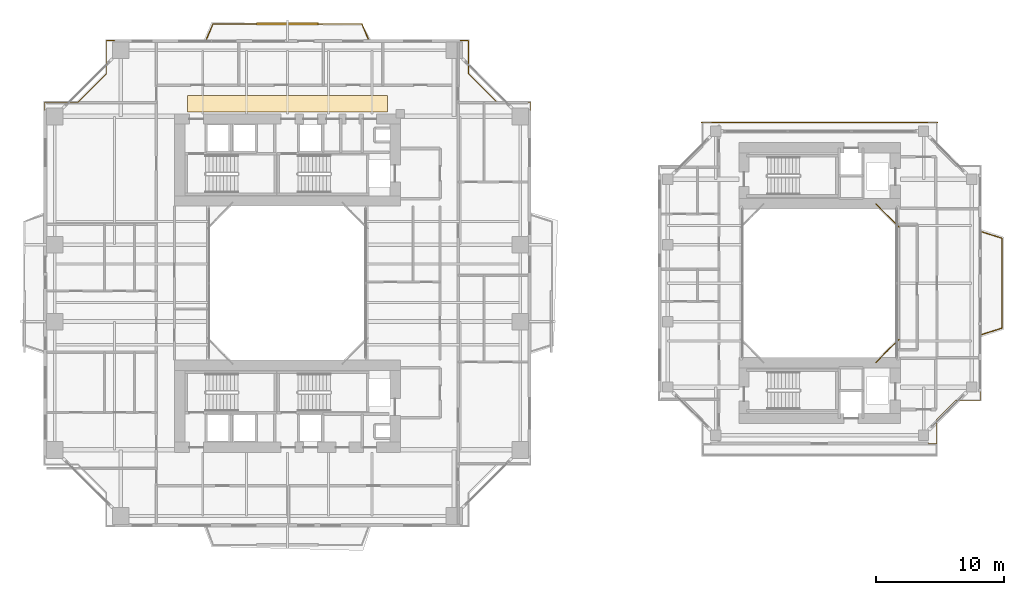
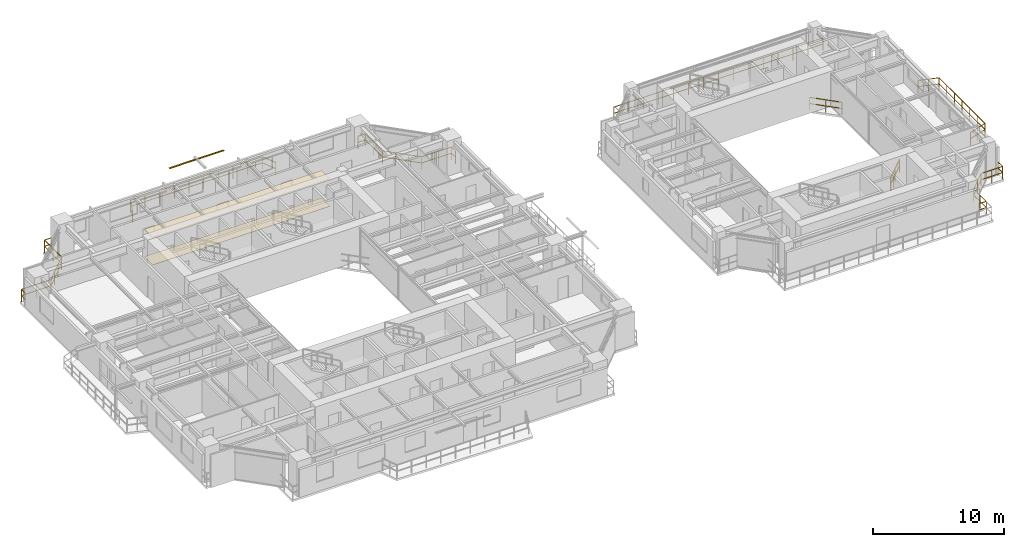
# One storey, part 23 of 24: 8 railings, 2 coverings, 1 shading device.
"""IFC4 building model written with IfcOpenShell, lengths in metres."""

from ifc_helpers import new_model, si_unit, direction, frame, origin, origin_2d, place, context, subcontext, project, spatial, polyline, rectangle, outline, extrude, source, transform, mapped, material, layer, layer_set, material_profile, profile_set, type_object, element, save


model = new_model("IFC4")

# Units and contexts
model_context = context("Model", 3, precision=1e-05, world=origin(), true_north=direction((0.0, 1.0)))
body_context = subcontext(model_context, "Body", "Model", "MODEL_VIEW")
ifc_project = project(units=[si_unit("LENGTHUNIT", "METRE"), si_unit("AREAUNIT", "SQUARE_METRE"), si_unit("VOLUMEUNIT", "CUBIC_METRE"), si_unit("PLANEANGLEUNIT", "RADIAN"), si_unit("MASSUNIT", "GRAM", prefix="KILO"), si_unit("THERMODYNAMICTEMPERATUREUNIT", "KELVIN"), si_unit("POWERUNIT", "WATT")], contexts=[model_context])

# Site, building, storey
site_placement = place(None, origin())
site = spatial("IfcSite", under=ifc_project, at=site_placement, CompositionType="ELEMENT")
building_placement = place(site_placement, origin())
building = spatial("IfcBuilding", under=site, at=building_placement, Name="Qiaomeng Ring Towers", CompositionType="ELEMENT")
storey_placement = place(building_placement, frame((0.0, 0.0, 69.75)))
storey = spatial("IfcBuildingStorey", under=building, at=storey_placement, Name="L19", CompositionType="ELEMENT", Elevation=69.75)

# Coverings
ifc_material_1 = material(Name="Moisture-resistant gypsum ceiling board", Category="gypsum")
ifc_layer_1 = layer(ifc_material_1, 0.030029296875, Name="Moisture-resistant gypsum ceiling board")
ifc_layer_set_1 = layer_set([ifc_layer_1], Name="Moisture-resistant gypsum ceiling board")
covering_type_1 = type_object("IfcCoveringType", Name="ARC-COV-CEIL2", PredefinedType="CEILING", material=ifc_layer_set_1)
covering_1_placement = place(storey_placement, frame((0.0, 0.0, 2.550048828125)))
element("IfcCovering", 1, at=covering_1_placement, inside=storey, type_object=covering_type_1, Name="L19 Corridor Acoustic Ceiling", PredefinedType="CEILING", context=body_context, shape_type="SweptSolid", body=[
    extrude(outline(polyline([(11.199951171875, 36.35009765625), (11.199951171875, 37.64990234375), (26.800048828125, 37.64990234375), (26.800048828125, 36.35009765625), (11.199951171875, 36.35009765625)])), origin(), (0.0, 0.0, 1.0), 0.02490234375),
])
ifc_material_2 = material(Name="Vitrified porcelain floor tile", Category="ceramic")
ifc_layer_2 = layer(ifc_material_2, 0.02001953125, Name="Vitrified porcelain floor tile")
ifc_layer_set_2 = layer_set([ifc_layer_2], Name="Vitrified porcelain floor tile")
covering_type_2 = type_object("IfcCoveringType", Name="ARC-COV-FLR1", PredefinedType="FLOORING", material=ifc_layer_set_2)
covering_2_placement = place(storey_placement, origin())
element("IfcCovering", 2, at=covering_2_placement, inside=storey, type_object=covering_type_2, Name="L19 Corridor Stone Flooring", PredefinedType="FLOORING", context=body_context, shape_type="SweptSolid", body=[
    extrude(outline(polyline([(11.199951171875, 36.35009765625), (11.199951171875, 37.64990234375), (26.800048828125, 37.64990234375), (26.800048828125, 36.35009765625), (11.199951171875, 36.35009765625)])), origin(), (0.0, 0.0, 1.0), 0.02001953125),
])

# Railings
ifc_material_3 = material(Name="Low-E pale-green laminated safety glass", Category="glass")
railing_type = type_object("IfcRailingType", Name="ARC-RL-BAL1", PredefinedType="BALUSTRADE", material=ifc_material_3)
railing_1_placement = place(storey_placement, frame((37.919921875, 36.469970703125, 0.0)))
element("IfcRailing", 3, at=railing_1_placement, inside=storey, type_object=railing_type, Name="L19 Balustrade ARC-BAL-NOTCH1-L19-NE", PredefinedType="BALUSTRADE", context=body_context, shape_type="SweptSolid", body=[
    extrude(rectangle(XDim=0.048095703125, YDim=0.048095703125, at=origin_2d()), frame((0.0, 0.0, 1.17578125), z_axis=(0.0, 1.0, 0.0), x_axis=(-1.0, 0.0, 0.0)), (0.0, 0.0, 1.0), 0.650146484375),
    extrude(rectangle(XDim=0.048095703125, YDim=0.048095703125, at=origin_2d()), frame((0.0, 0.0, 0.60009765625), z_axis=(0.0, 1.0, 0.0), x_axis=(-1.0, 0.0, 0.0)), (0.0, 0.0, 1.0), 0.650146484375),
    extrude(rectangle(XDim=0.048095703125, YDim=0.048095703125, at=origin_2d()), frame((0.0, 0.650146484375, 1.17578125), z_axis=(-1.0, 0.0, 0.0), x_axis=(0.0, -1.0, 0.0)), (0.0, 0.0, 1.0), 2.599853515625),
    extrude(rectangle(XDim=0.048095703125, YDim=0.048095703125, at=origin_2d()), frame((0.0, 0.650146484375, 0.60009765625), z_axis=(-1.0, 0.0, 0.0), x_axis=(0.0, -1.0, 0.0)), (0.0, 0.0, 1.0), 2.599853515625),
    extrude(rectangle(XDim=0.048095703125, YDim=0.048095703125, at=origin_2d()), frame((-2.599853515625, 0.650146484375, 1.17578125), z_axis=(-0.707106781187, 0.707106781187, 0.0), x_axis=(-0.707106781187, -0.707106781187, 0.0)), (0.0, 0.0, 1.0), 3.111083984375),
    extrude(rectangle(XDim=0.048095703125, YDim=0.048095703125, at=origin_2d()), frame((-2.599853515625, 0.650146484375, 0.60009765625), z_axis=(-0.707106781187, 0.707106781187, 0.0), x_axis=(-0.707106781187, -0.707106781187, 0.0)), (0.0, 0.0, 1.0), 3.111083984375),
    extrude(rectangle(XDim=0.048095703125, YDim=0.048095703125, at=origin_2d()), frame((-4.7998046875, 2.85009765625, 1.17578125), z_axis=(0.0, 1.0, 0.0), x_axis=(-1.0, 0.0, 0.0)), (0.0, 0.0, 1.0), 2.599853515625),
    extrude(rectangle(XDim=0.048095703125, YDim=0.048095703125, at=origin_2d()), frame((-4.7998046875, 2.85009765625, 0.60009765625), z_axis=(0.0, 1.0, 0.0), x_axis=(-1.0, 0.0, 0.0)), (0.0, 0.0, 1.0), 2.599853515625),
    extrude(rectangle(XDim=0.048095703125, YDim=0.048095703125, at=origin_2d()), frame((-4.7998046875, 5.449951171875, 1.17578125), z_axis=(-1.0, 0.0, 0.0), x_axis=(0.0, -1.0, 0.0)), (0.0, 0.0, 1.0), 0.650146484375),
    extrude(rectangle(XDim=0.048095703125, YDim=0.048095703125, at=origin_2d()), frame((-4.7998046875, 5.449951171875, 0.60009765625), z_axis=(-1.0, 0.0, 0.0), x_axis=(0.0, -1.0, 0.0)), (0.0, 0.0, 1.0), 0.650146484375),
    extrude(rectangle(XDim=0.0419921875, YDim=0.0419921875, at=origin_2d()), origin(), (0.0, 0.0, 1.0), 1.15185546875),
    extrude(rectangle(XDim=0.0419921875, YDim=0.0419921875, at=origin_2d()), frame((0.0, 0.650146484375, 0.0)), (0.0, 0.0, 1.0), 1.15185546875),
    extrude(rectangle(XDim=0.0419921875, YDim=0.0419921875, at=origin_2d()), frame((-1.2998046875, 0.650146484375, 0.0)), (0.0, 0.0, 1.0), 1.15185546875),
    extrude(rectangle(XDim=0.0419921875, YDim=0.0419921875, at=origin_2d()), frame((-2.599853515625, 0.650146484375, 0.0)), (0.0, 0.0, 1.0), 1.15185546875),
    extrude(rectangle(XDim=0.0419921875, YDim=0.0419921875, at=origin_2d()), frame((-3.333251953125, 1.383544921875, 0.0)), (0.0, 0.0, 1.0), 1.15185546875),
    extrude(rectangle(XDim=0.0419921875, YDim=0.0419921875, at=origin_2d()), frame((-4.06640625, 2.11669921875, 0.0)), (0.0, 0.0, 1.0), 1.15185546875),
    extrude(rectangle(XDim=0.0419921875, YDim=0.0419921875, at=origin_2d()), frame((-4.7998046875, 2.85009765625, 0.0)), (0.0, 0.0, 1.0), 1.15185546875),
    extrude(rectangle(XDim=0.0419921875, YDim=0.0419921875, at=origin_2d()), frame((-4.7998046875, 4.14990234375, 0.0)), (0.0, 0.0, 1.0), 1.15185546875),
    extrude(rectangle(XDim=0.0419921875, YDim=0.0419921875, at=origin_2d()), frame((-4.7998046875, 5.449951171875, 0.0)), (0.0, 0.0, 1.0), 1.15185546875),
    extrude(rectangle(XDim=0.0419921875, YDim=0.0419921875, at=origin_2d()), frame((-5.449951171875, 5.449951171875, 0.0)), (0.0, 0.0, 1.0), 1.15185546875),
])
railing_2_placement = place(storey_placement, frame((5.530029296875, 41.919921875, 0.0)))
element("IfcRailing", 4, at=railing_2_placement, inside=storey, type_object=railing_type, Name="L19 Balustrade ARC-BAL-NOTCH1-L19-NW", PredefinedType="BALUSTRADE", context=body_context, shape_type="SweptSolid", body=[
    extrude(rectangle(XDim=0.048095703125, YDim=0.048095703125, at=origin_2d()), frame((0.0, 0.0, 1.17578125), z_axis=(-1.0, 0.0, 0.0), x_axis=(0.0, -1.0, 0.0)), (0.0, 0.0, 1.0), 0.650146484375),
    extrude(rectangle(XDim=0.048095703125, YDim=0.048095703125, at=origin_2d()), frame((0.0, 0.0, 0.60009765625), z_axis=(-1.0, 0.0, 0.0), x_axis=(0.0, -1.0, 0.0)), (0.0, 0.0, 1.0), 0.650146484375),
    extrude(rectangle(XDim=0.048095703125, YDim=0.048095703125, at=origin_2d()), frame((-0.650146484375, 0.0, 1.17578125), z_axis=(0.0, -1.0, 0.0), x_axis=(1.0, 0.0, 0.0)), (0.0, 0.0, 1.0), 2.599853515625),
    extrude(rectangle(XDim=0.048095703125, YDim=0.048095703125, at=origin_2d()), frame((-0.650146484375, 0.0, 0.60009765625), z_axis=(0.0, -1.0, 0.0), x_axis=(1.0, 0.0, 0.0)), (0.0, 0.0, 1.0), 2.599853515625),
    extrude(rectangle(XDim=0.048095703125, YDim=0.048095703125, at=origin_2d()), frame((-0.650146484375, -2.599853515625, 1.17578125), z_axis=(-0.707106781187, -0.707106781187, 0.0), x_axis=(0.707106781187, -0.707106781187, 0.0)), (0.0, 0.0, 1.0), 3.111083984375),
    extrude(rectangle(XDim=0.048095703125, YDim=0.048095703125, at=origin_2d()), frame((-0.650146484375, -2.599853515625, 0.60009765625), z_axis=(-0.707106781187, -0.707106781187, 0.0), x_axis=(0.707106781187, -0.707106781187, 0.0)), (0.0, 0.0, 1.0), 3.111083984375),
    extrude(rectangle(XDim=0.048095703125, YDim=0.048095703125, at=origin_2d()), frame((-2.85009765625, -4.7998046875, 1.17578125), z_axis=(-1.0, 0.0, 0.0), x_axis=(0.0, -1.0, 0.0)), (0.0, 0.0, 1.0), 2.599853515625),
    extrude(rectangle(XDim=0.048095703125, YDim=0.048095703125, at=origin_2d()), frame((-2.85009765625, -4.7998046875, 0.60009765625), z_axis=(-1.0, 0.0, 0.0), x_axis=(0.0, -1.0, 0.0)), (0.0, 0.0, 1.0), 2.599853515625),
    extrude(rectangle(XDim=0.048095703125, YDim=0.048095703125, at=origin_2d()), frame((-5.449951171875, -4.7998046875, 1.17578125), z_axis=(0.0, -1.0, 0.0), x_axis=(1.0, 0.0, 0.0)), (0.0, 0.0, 1.0), 0.650146484375),
    extrude(rectangle(XDim=0.048095703125, YDim=0.048095703125, at=origin_2d()), frame((-5.449951171875, -4.7998046875, 0.60009765625), z_axis=(0.0, -1.0, 0.0), x_axis=(1.0, 0.0, 0.0)), (0.0, 0.0, 1.0), 0.650146484375),
    extrude(rectangle(XDim=0.0419921875, YDim=0.0419921875, at=origin_2d()), origin(), (0.0, 0.0, 1.0), 1.15185546875),
    extrude(rectangle(XDim=0.0419921875, YDim=0.0419921875, at=origin_2d()), frame((-0.650146484375, 0.0, 0.0)), (0.0, 0.0, 1.0), 1.15185546875),
    extrude(rectangle(XDim=0.0419921875, YDim=0.0419921875, at=origin_2d()), frame((-0.650146484375, -1.2998046875, 0.0)), (0.0, 0.0, 1.0), 1.15185546875),
    extrude(rectangle(XDim=0.0419921875, YDim=0.0419921875, at=origin_2d()), frame((-0.650146484375, -2.599853515625, 0.0)), (0.0, 0.0, 1.0), 1.15185546875),
    extrude(rectangle(XDim=0.0419921875, YDim=0.0419921875, at=origin_2d()), frame((-1.383544921875, -3.333251953125, 0.0)), (0.0, 0.0, 1.0), 1.15185546875),
    extrude(rectangle(XDim=0.0419921875, YDim=0.0419921875, at=origin_2d()), frame((-2.11669921875, -4.06640625, 0.0)), (0.0, 0.0, 1.0), 1.15185546875),
    extrude(rectangle(XDim=0.0419921875, YDim=0.0419921875, at=origin_2d()), frame((-2.85009765625, -4.7998046875, 0.0)), (0.0, 0.0, 1.0), 1.15185546875),
    extrude(rectangle(XDim=0.0419921875, YDim=0.0419921875, at=origin_2d()), frame((-4.14990234375, -4.7998046875, 0.0)), (0.0, 0.0, 1.0), 1.15185546875),
    extrude(rectangle(XDim=0.0419921875, YDim=0.0419921875, at=origin_2d()), frame((-5.449951171875, -4.7998046875, 0.0)), (0.0, 0.0, 1.0), 1.15185546875),
    extrude(rectangle(XDim=0.0419921875, YDim=0.0419921875, at=origin_2d()), frame((-5.449951171875, -5.449951171875, 0.0)), (0.0, 0.0, 1.0), 1.15185546875),
])
railing_3_placement = place(storey_placement, frame((12.699951171875, 42.050048828125, 0.0)))
element("IfcRailing", 5, at=railing_3_placement, inside=storey, type_object=railing_type, Name="L19 Balustrade ARC-BAL-L19-T1-N", PredefinedType="BALUSTRADE", context=body_context, shape_type="SweptSolid", body=[
    extrude(rectangle(XDim=0.048095703125, YDim=0.048095703125, at=origin_2d()), frame((0.0, 0.0, 1.17578125), z_axis=(0.39299272826, 0.919541579014, 0.0), x_axis=(-0.919541579014, 0.39299272826, 0.0)), (0.0, 0.0, 1.0), 1.272216796875),
    extrude(rectangle(XDim=0.048095703125, YDim=0.048095703125, at=origin_2d()), frame((0.0, 0.0, 0.60009765625), z_axis=(0.39299272826, 0.919541579014, 0.0), x_axis=(-0.919541579014, 0.39299272826, 0.0)), (0.0, 0.0, 1.0), 1.272216796875),
    extrude(rectangle(XDim=0.048095703125, YDim=0.048095703125, at=origin_2d()), frame((0.5, 1.169921875, 1.17578125), z_axis=(1.0, 0.0, 0.0), x_axis=(0.0, 1.0, 0.0)), (0.0, 0.0, 1.0), 11.60009765625),
    extrude(rectangle(XDim=0.048095703125, YDim=0.048095703125, at=origin_2d()), frame((0.5, 1.169921875, 0.60009765625), z_axis=(1.0, 0.0, 0.0), x_axis=(0.0, 1.0, 0.0)), (0.0, 0.0, 1.0), 11.60009765625),
    extrude(rectangle(XDim=0.048095703125, YDim=0.048095703125, at=origin_2d()), frame((12.10009765625, 1.169921875, 1.17578125), z_axis=(0.39299272826, -0.919541579014, 0.0), x_axis=(0.919541579014, 0.39299272826, 0.0)), (0.0, 0.0, 1.0), 1.272216796875),
    extrude(rectangle(XDim=0.048095703125, YDim=0.048095703125, at=origin_2d()), frame((12.10009765625, 1.169921875, 0.60009765625), z_axis=(0.39299272826, -0.919541579014, 0.0), x_axis=(0.919541579014, 0.39299272826, 0.0)), (0.0, 0.0, 1.0), 1.272216796875),
    extrude(rectangle(XDim=0.0419921875, YDim=0.0419921875, at=origin_2d()), origin(), (0.0, 0.0, 1.0), 1.15185546875),
    extrude(rectangle(XDim=0.0419921875, YDim=0.0419921875, at=origin_2d()), frame((0.5, 1.169921875, 0.0)), (0.0, 0.0, 1.0), 1.15185546875),
    extrude(rectangle(XDim=0.0419921875, YDim=0.0419921875, at=origin_2d()), frame((1.788818359375, 1.169921875, 0.0)), (0.0, 0.0, 1.0), 1.15185546875),
    extrude(rectangle(XDim=0.0419921875, YDim=0.0419921875, at=origin_2d()), frame((3.077880859375, 1.169921875, 0.0)), (0.0, 0.0, 1.0), 1.15185546875),
    extrude(rectangle(XDim=0.0419921875, YDim=0.0419921875, at=origin_2d()), frame((4.36669921875, 1.169921875, 0.0)), (0.0, 0.0, 1.0), 1.15185546875),
    extrude(rectangle(XDim=0.0419921875, YDim=0.0419921875, at=origin_2d()), frame((5.655517578125, 1.169921875, 0.0)), (0.0, 0.0, 1.0), 1.15185546875),
    extrude(rectangle(XDim=0.0419921875, YDim=0.0419921875, at=origin_2d()), frame((6.944580078125, 1.169921875, 0.0)), (0.0, 0.0, 1.0), 1.15185546875),
    extrude(rectangle(XDim=0.0419921875, YDim=0.0419921875, at=origin_2d()), frame((8.2333984375, 1.169921875, 0.0)), (0.0, 0.0, 1.0), 1.15185546875),
    extrude(rectangle(XDim=0.0419921875, YDim=0.0419921875, at=origin_2d()), frame((9.522216796875, 1.169921875, 0.0)), (0.0, 0.0, 1.0), 1.15185546875),
    extrude(rectangle(XDim=0.0419921875, YDim=0.0419921875, at=origin_2d()), frame((10.811279296875, 1.169921875, 0.0)), (0.0, 0.0, 1.0), 1.15185546875),
    extrude(rectangle(XDim=0.0419921875, YDim=0.0419921875, at=origin_2d()), frame((12.10009765625, 1.169921875, 0.0)), (0.0, 0.0, 1.0), 1.15185546875),
    extrude(rectangle(XDim=0.0419921875, YDim=0.0419921875, at=origin_2d()), frame((12.60009765625, 0.0, 0.0)), (0.0, 0.0, 1.0), 1.15185546875),
])
railing_4_placement = place(storey_placement, frame((64.8798828125, 16.820068359375, 0.0)))
element("IfcRailing", 6, at=railing_4_placement, inside=storey, type_object=railing_type, Name="L19 Balustrade ARC-BAL-WELL2-L19-1", PredefinedType="BALUSTRADE", context=body_context, shape_type="SweptSolid", body=[
    extrude(rectangle(XDim=0.048095703125, YDim=0.048095703125, at=origin_2d()), frame((0.0, 0.0, 1.17578125), z_axis=(0.707106781187, 0.707106781187, 0.0), x_axis=(-0.707106781187, 0.707106781187, 0.0)), (0.0, 0.0, 1.0), 2.545654296875),
    extrude(rectangle(XDim=0.048095703125, YDim=0.048095703125, at=origin_2d()), frame((0.0, 0.0, 0.60009765625), z_axis=(0.707106781187, 0.707106781187, 0.0), x_axis=(-0.707106781187, 0.707106781187, 0.0)), (0.0, 0.0, 1.0), 2.545654296875),
    extrude(rectangle(XDim=0.0419921875, YDim=0.0419921875, at=origin_2d()), origin(), (0.0, 0.0, 1.0), 1.15185546875),
    extrude(rectangle(XDim=0.0419921875, YDim=0.0419921875, at=origin_2d()), frame((0.89990234375, 0.89990234375, 0.0)), (0.0, 0.0, 1.0), 1.15185546875),
    extrude(rectangle(XDim=0.0419921875, YDim=0.0419921875, at=origin_2d()), frame((1.800048828125, 1.800048828125, 0.0)), (0.0, 0.0, 1.0), 1.15185546875),
])
railing_5_placement = place(storey_placement, frame((66.679931640625, 27.3798828125, 0.0)))
element("IfcRailing", 7, at=railing_5_placement, inside=storey, type_object=railing_type, Name="L19 Balustrade ARC-BAL-WELL2-L19-2", PredefinedType="BALUSTRADE", context=body_context, shape_type="SweptSolid", body=[
    extrude(rectangle(XDim=0.048095703125, YDim=0.048095703125, at=origin_2d()), frame((0.0, 0.0, 1.17578125), z_axis=(-0.707106781187, 0.707106781187, 0.0), x_axis=(-0.707106781187, -0.707106781187, 0.0)), (0.0, 0.0, 1.0), 2.545654296875),
    extrude(rectangle(XDim=0.048095703125, YDim=0.048095703125, at=origin_2d()), frame((0.0, 0.0, 0.60009765625), z_axis=(-0.707106781187, 0.707106781187, 0.0), x_axis=(-0.707106781187, -0.707106781187, 0.0)), (0.0, 0.0, 1.0), 2.545654296875),
    extrude(rectangle(XDim=0.0419921875, YDim=0.0419921875, at=origin_2d()), origin(), (0.0, 0.0, 1.0), 1.15185546875),
    extrude(rectangle(XDim=0.0419921875, YDim=0.0419921875, at=origin_2d()), frame((-0.89990234375, 0.89990234375, 0.0)), (0.0, 0.0, 1.0), 1.15185546875),
    extrude(rectangle(XDim=0.0419921875, YDim=0.0419921875, at=origin_2d()), frame((-1.800048828125, 1.800048828125, 0.0)), (0.0, 0.0, 1.0), 1.15185546875),
])
railing_6_placement = place(storey_placement, frame((68.969970703125, 10.47998046875, 0.0)))
element("IfcRailing", 8, at=railing_6_placement, inside=storey, type_object=railing_type, Name="L19 Balustrade ARC-BAL-NOTCH2-L19-SE", PredefinedType="BALUSTRADE", context=body_context, shape_type="SweptSolid", body=[
    extrude(rectangle(XDim=0.048095703125, YDim=0.048095703125, at=origin_2d()), frame((0.0, 0.0, 1.17578125), z_axis=(1.0, 0.0, 0.0), x_axis=(0.0, 1.0, 0.0)), (0.0, 0.0, 1.0), 0.650146484375),
    extrude(rectangle(XDim=0.048095703125, YDim=0.048095703125, at=origin_2d()), frame((0.0, 0.0, 0.60009765625), z_axis=(1.0, 0.0, 0.0), x_axis=(0.0, 1.0, 0.0)), (0.0, 0.0, 1.0), 0.650146484375),
    extrude(rectangle(XDim=0.048095703125, YDim=0.048095703125, at=origin_2d()), frame((0.650146484375, 0.0, 1.17578125), z_axis=(0.0, 1.0, 0.0), x_axis=(-1.0, 0.0, 0.0)), (0.0, 0.0, 1.0), 1.89990234375),
    extrude(rectangle(XDim=0.048095703125, YDim=0.048095703125, at=origin_2d()), frame((0.650146484375, 0.0, 0.60009765625), z_axis=(0.0, 1.0, 0.0), x_axis=(-1.0, 0.0, 0.0)), (0.0, 0.0, 1.0), 1.89990234375),
    extrude(rectangle(XDim=0.048095703125, YDim=0.048095703125, at=origin_2d()), frame((0.650146484375, 1.89990234375, 1.17578125), z_axis=(0.707106781187, 0.707106781187, 0.0), x_axis=(-0.707106781187, 0.707106781187, 0.0)), (0.0, 0.0, 1.0), 2.121337890625),
    extrude(rectangle(XDim=0.048095703125, YDim=0.048095703125, at=origin_2d()), frame((0.650146484375, 1.89990234375, 0.60009765625), z_axis=(0.707106781187, 0.707106781187, 0.0), x_axis=(-0.707106781187, 0.707106781187, 0.0)), (0.0, 0.0, 1.0), 2.121337890625),
    extrude(rectangle(XDim=0.048095703125, YDim=0.048095703125, at=origin_2d()), frame((2.150146484375, 3.39990234375, 1.17578125), z_axis=(1.0, 0.0, 0.0), x_axis=(0.0, 1.0, 0.0)), (0.0, 0.0, 1.0), 1.89990234375),
    extrude(rectangle(XDim=0.048095703125, YDim=0.048095703125, at=origin_2d()), frame((2.150146484375, 3.39990234375, 0.60009765625), z_axis=(1.0, 0.0, 0.0), x_axis=(0.0, 1.0, 0.0)), (0.0, 0.0, 1.0), 1.89990234375),
    extrude(rectangle(XDim=0.048095703125, YDim=0.048095703125, at=origin_2d()), frame((4.050048828125, 3.39990234375, 1.17578125), z_axis=(0.0, 1.0, 0.0), x_axis=(-1.0, 0.0, 0.0)), (0.0, 0.0, 1.0), 0.650146484375),
    extrude(rectangle(XDim=0.048095703125, YDim=0.048095703125, at=origin_2d()), frame((4.050048828125, 3.39990234375, 0.60009765625), z_axis=(0.0, 1.0, 0.0), x_axis=(-1.0, 0.0, 0.0)), (0.0, 0.0, 1.0), 0.650146484375),
    extrude(rectangle(XDim=0.0419921875, YDim=0.0419921875, at=origin_2d()), origin(), (0.0, 0.0, 1.0), 1.15185546875),
    extrude(rectangle(XDim=0.0419921875, YDim=0.0419921875, at=origin_2d()), frame((0.650146484375, 0.0, 0.0)), (0.0, 0.0, 1.0), 1.15185546875),
    extrude(rectangle(XDim=0.0419921875, YDim=0.0419921875, at=origin_2d()), frame((0.650146484375, 0.949951171875, 0.0)), (0.0, 0.0, 1.0), 1.15185546875),
    extrude(rectangle(XDim=0.0419921875, YDim=0.0419921875, at=origin_2d()), frame((0.650146484375, 1.89990234375, 0.0)), (0.0, 0.0, 1.0), 1.15185546875),
    extrude(rectangle(XDim=0.0419921875, YDim=0.0419921875, at=origin_2d()), frame((1.400146484375, 2.64990234375, 0.0)), (0.0, 0.0, 1.0), 1.15185546875),
    extrude(rectangle(XDim=0.0419921875, YDim=0.0419921875, at=origin_2d()), frame((2.150146484375, 3.39990234375, 0.0)), (0.0, 0.0, 1.0), 1.15185546875),
    extrude(rectangle(XDim=0.0419921875, YDim=0.0419921875, at=origin_2d()), frame((3.10009765625, 3.39990234375, 0.0)), (0.0, 0.0, 1.0), 1.15185546875),
    extrude(rectangle(XDim=0.0419921875, YDim=0.0419921875, at=origin_2d()), frame((4.050048828125, 3.39990234375, 0.0)), (0.0, 0.0, 1.0), 1.15185546875),
    extrude(rectangle(XDim=0.0419921875, YDim=0.0419921875, at=origin_2d()), frame((4.050048828125, 4.050048828125, 0.0)), (0.0, 0.0, 1.0), 1.15185546875),
])
railing_7_placement = place(storey_placement, frame((51.300048828125, 35.52001953125, 0.0)))
element("IfcRailing", 9, at=railing_7_placement, inside=storey, type_object=railing_type, Name="L19 Balustrade ARC-BAL-T2N-L19", PredefinedType="BALUSTRADE", context=body_context, shape_type="SweptSolid", body=[
    extrude(rectangle(XDim=0.048095703125, YDim=0.048095703125, at=origin_2d()), frame((0.0, 0.0, 1.17578125), z_axis=(1.0, 0.0, 0.0), x_axis=(0.0, 1.0, 0.0)), (0.0, 0.0, 1.0), 18.39990234375),
    extrude(rectangle(XDim=0.048095703125, YDim=0.048095703125, at=origin_2d()), frame((0.0, 0.0, 0.60009765625), z_axis=(1.0, 0.0, 0.0), x_axis=(0.0, 1.0, 0.0)), (0.0, 0.0, 1.0), 18.39990234375),
    extrude(rectangle(XDim=0.0419921875, YDim=0.0419921875, at=origin_2d()), origin(), (0.0, 0.0, 1.0), 1.15185546875),
    extrude(rectangle(XDim=0.0419921875, YDim=0.0419921875, at=origin_2d()), frame((1.314208984375, 0.0, 0.0)), (0.0, 0.0, 1.0), 1.15185546875),
    extrude(rectangle(XDim=0.0419921875, YDim=0.0419921875, at=origin_2d()), frame((2.628662109375, 0.0, 0.0)), (0.0, 0.0, 1.0), 1.15185546875),
    extrude(rectangle(XDim=0.0419921875, YDim=0.0419921875, at=origin_2d()), frame((3.94287109375, 0.0, 0.0)), (0.0, 0.0, 1.0), 1.15185546875),
    extrude(rectangle(XDim=0.0419921875, YDim=0.0419921875, at=origin_2d()), frame((5.257080078125, 0.0, 0.0)), (0.0, 0.0, 1.0), 1.15185546875),
    extrude(rectangle(XDim=0.0419921875, YDim=0.0419921875, at=origin_2d()), frame((6.5712890625, 0.0, 0.0)), (0.0, 0.0, 1.0), 1.15185546875),
    extrude(rectangle(XDim=0.0419921875, YDim=0.0419921875, at=origin_2d()), frame((7.8857421875, 0.0, 0.0)), (0.0, 0.0, 1.0), 1.15185546875),
    extrude(rectangle(XDim=0.0419921875, YDim=0.0419921875, at=origin_2d()), frame((9.199951171875, 0.0, 0.0)), (0.0, 0.0, 1.0), 1.15185546875),
    extrude(rectangle(XDim=0.0419921875, YDim=0.0419921875, at=origin_2d()), frame((10.51416015625, 0.0, 0.0)), (0.0, 0.0, 1.0), 1.15185546875),
    extrude(rectangle(XDim=0.0419921875, YDim=0.0419921875, at=origin_2d()), frame((11.82861328125, 0.0, 0.0)), (0.0, 0.0, 1.0), 1.15185546875),
    extrude(rectangle(XDim=0.0419921875, YDim=0.0419921875, at=origin_2d()), frame((13.142822265625, 0.0, 0.0)), (0.0, 0.0, 1.0), 1.15185546875),
    extrude(rectangle(XDim=0.0419921875, YDim=0.0419921875, at=origin_2d()), frame((14.45703125, 0.0, 0.0)), (0.0, 0.0, 1.0), 1.15185546875),
    extrude(rectangle(XDim=0.0419921875, YDim=0.0419921875, at=origin_2d()), frame((15.771240234375, 0.0, 0.0)), (0.0, 0.0, 1.0), 1.15185546875),
    extrude(rectangle(XDim=0.0419921875, YDim=0.0419921875, at=origin_2d()), frame((17.085693359375, 0.0, 0.0)), (0.0, 0.0, 1.0), 1.15185546875),
    extrude(rectangle(XDim=0.0419921875, YDim=0.0419921875, at=origin_2d()), frame((18.39990234375, 0.0, 0.0)), (0.0, 0.0, 1.0), 1.15185546875),
])
railing_8_placement = place(storey_placement, frame((73.14990234375, 19.0, 0.0)))
element("IfcRailing", 10, at=railing_8_placement, inside=storey, type_object=railing_type, Name="L19 Balustrade ARC-BAL-L19-T2-E", PredefinedType="BALUSTRADE", context=body_context, shape_type="SweptSolid", body=[
    extrude(rectangle(XDim=0.048095703125, YDim=0.048095703125, at=origin_2d()), frame((0.0, 0.0, 1.17578125), z_axis=(0.952849860715, 0.303442157479, 0.0), x_axis=(-0.303442157479, 0.952849860715, 0.0)), (0.0, 0.0, 1.0), 1.647705078125),
    extrude(rectangle(XDim=0.048095703125, YDim=0.048095703125, at=origin_2d()), frame((0.0, 0.0, 0.60009765625), z_axis=(0.952849860715, 0.303442157479, 0.0), x_axis=(-0.303442157479, 0.952849860715, 0.0)), (0.0, 0.0, 1.0), 1.647705078125),
    extrude(rectangle(XDim=0.048095703125, YDim=0.048095703125, at=origin_2d()), frame((1.570068359375, 0.5, 1.17578125), z_axis=(0.0, 1.0, 0.0), x_axis=(-1.0, 0.0, 0.0)), (0.0, 0.0, 1.0), 7.0),
    extrude(rectangle(XDim=0.048095703125, YDim=0.048095703125, at=origin_2d()), frame((1.570068359375, 0.5, 0.60009765625), z_axis=(0.0, 1.0, 0.0), x_axis=(-1.0, 0.0, 0.0)), (0.0, 0.0, 1.0), 7.0),
    extrude(rectangle(XDim=0.048095703125, YDim=0.048095703125, at=origin_2d()), frame((1.570068359375, 7.5, 1.17578125), z_axis=(-0.952849860715, 0.303442157479, 0.0), x_axis=(-0.303442157479, -0.952849860715, 0.0)), (0.0, 0.0, 1.0), 1.647705078125),
    extrude(rectangle(XDim=0.048095703125, YDim=0.048095703125, at=origin_2d()), frame((1.570068359375, 7.5, 0.60009765625), z_axis=(-0.952849860715, 0.303442157479, 0.0), x_axis=(-0.303442157479, -0.952849860715, 0.0)), (0.0, 0.0, 1.0), 1.647705078125),
    extrude(rectangle(XDim=0.0419921875, YDim=0.0419921875, at=origin_2d()), origin(), (0.0, 0.0, 1.0), 1.15185546875),
    extrude(rectangle(XDim=0.0419921875, YDim=0.0419921875, at=origin_2d()), frame((0.78515625, 0.25, 0.0)), (0.0, 0.0, 1.0), 1.15185546875),
    extrude(rectangle(XDim=0.0419921875, YDim=0.0419921875, at=origin_2d()), frame((1.570068359375, 0.5, 0.0)), (0.0, 0.0, 1.0), 1.15185546875),
    extrude(rectangle(XDim=0.0419921875, YDim=0.0419921875, at=origin_2d()), frame((1.570068359375, 1.666748046875, 0.0)), (0.0, 0.0, 1.0), 1.15185546875),
    extrude(rectangle(XDim=0.0419921875, YDim=0.0419921875, at=origin_2d()), frame((1.570068359375, 2.833251953125, 0.0)), (0.0, 0.0, 1.0), 1.15185546875),
    extrude(rectangle(XDim=0.0419921875, YDim=0.0419921875, at=origin_2d()), frame((1.570068359375, 4.0, 0.0)), (0.0, 0.0, 1.0), 1.15185546875),
    extrude(rectangle(XDim=0.0419921875, YDim=0.0419921875, at=origin_2d()), frame((1.570068359375, 5.166748046875, 0.0)), (0.0, 0.0, 1.0), 1.15185546875),
    extrude(rectangle(XDim=0.0419921875, YDim=0.0419921875, at=origin_2d()), frame((1.570068359375, 6.333251953125, 0.0)), (0.0, 0.0, 1.0), 1.15185546875),
    extrude(rectangle(XDim=0.0419921875, YDim=0.0419921875, at=origin_2d()), frame((1.570068359375, 7.5, 0.0)), (0.0, 0.0, 1.0), 1.15185546875),
    extrude(rectangle(XDim=0.0419921875, YDim=0.0419921875, at=origin_2d()), frame((0.78515625, 7.75, 0.0)), (0.0, 0.0, 1.0), 1.15185546875),
    extrude(rectangle(XDim=0.0419921875, YDim=0.0419921875, at=origin_2d()), frame((0.0, 8.0, 0.0)), (0.0, 0.0, 1.0), 1.15185546875),
])

# Shading device
ifc_material_4 = material(Name="Fluorocarbon dark-grey aluminium", Category="aluminium")
ifc_material_profile = material_profile(ifc_material_4, rectangle(XDim=0.14990234375, YDim=0.034912109375, at=origin_2d()), Name="LV BLADE 150x35")
ifc_profile_set = profile_set([ifc_material_profile], Name="Fluorocarbon dark-grey aluminium")
shading_device_type = type_object("IfcShadingDeviceType", Name="ARC-SHD-SUN", PredefinedType="AWNING", material=ifc_profile_set)
shared_shape = source(origin(), body_context, "Body", "SweptSolid", [
    extrude(rectangle(XDim=0.14990234375, YDim=0.034912109375, at=origin_2d()), origin(), (0.0, 0.0, 1.0), 4.7998046875),
])
shading_device_placement = place(storey_placement, frame((16.60009765625, 43.219970703125, 2.969970703125), z_axis=(1.0, 0.0, 0.0), x_axis=(0.0, 1.0, 0.0)))
element("IfcShadingDevice", 11, at=shading_device_placement, inside=storey, type_object=shading_device_type, Name="L19 Ventilated Outer-Skin Sunshade N", PredefinedType="AWNING", context=body_context, shape_type="MappedRepresentation", body=[
    mapped(shared_shape, transform((0.0, 0.0, 0.0), x_axis=(1.0, 0.0, 0.0), y_axis=(0.0, 1.0, 0.0), z_axis=(0.0, 0.0, 1.0), scale=1.0)),
])

save(model, "model.ifc")
